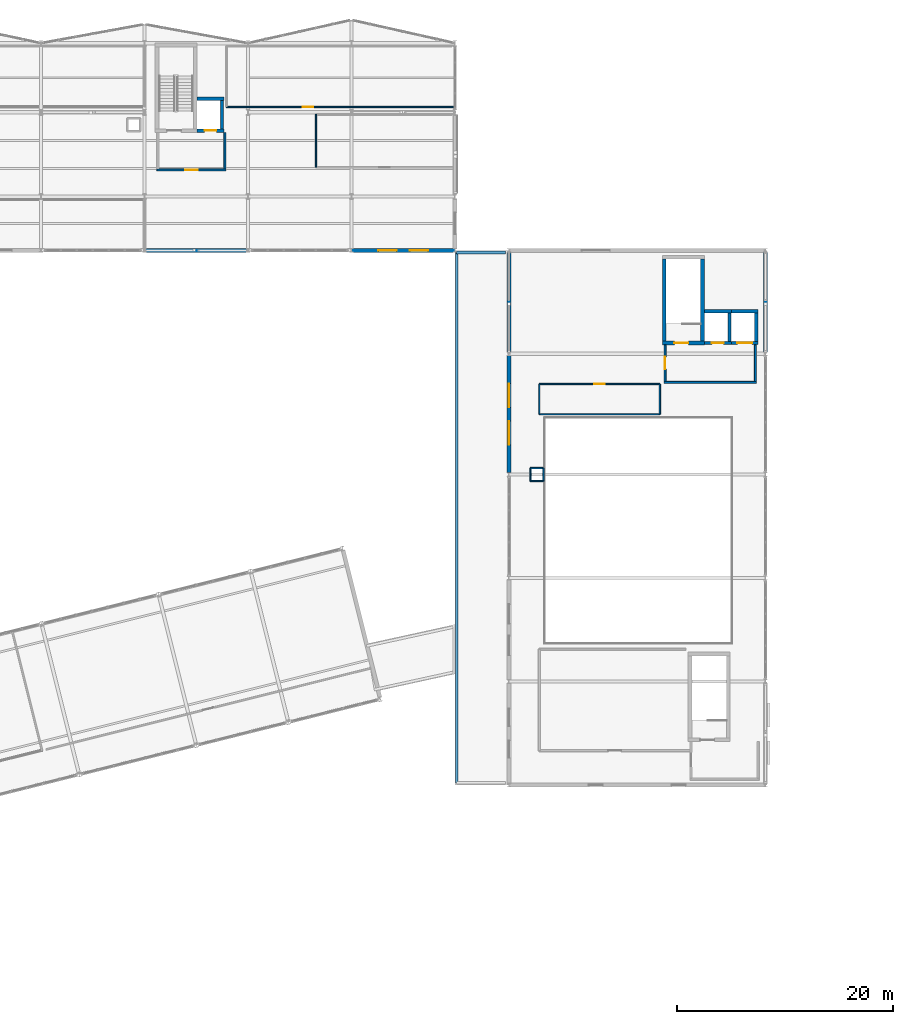
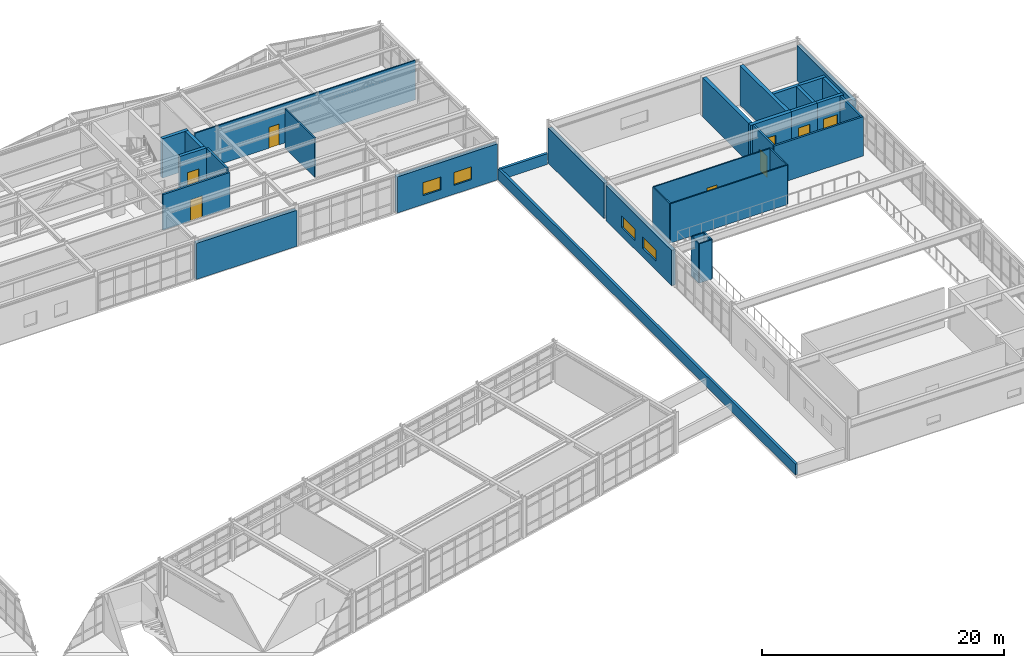
# One storey, part 66 of 76: 34 walls, 8 doors, 4 windows, 12 openings.
"""IFC4 building model written with IfcOpenShell, lengths in metres."""

from ifc_helpers import new_model, si_unit, direction, frame, frame_2d, origin, place, context, subcontext, project, spatial, rectangle, extrude, material, layer, layer_set, type_object, element, fill, save


model = new_model("IFC4")

# Units and contexts
model_context = context("Model", 3, precision=1e-05, world=origin(), true_north=direction((0.0, 1.0)))
body_context = subcontext(model_context, "Body", "Model", "MODEL_VIEW")
ifc_project = project(units=[si_unit("LENGTHUNIT", "METRE"), si_unit("AREAUNIT", "SQUARE_METRE"), si_unit("VOLUMEUNIT", "CUBIC_METRE"), si_unit("PLANEANGLEUNIT", "RADIAN"), si_unit("MASSUNIT", "GRAM", prefix="KILO")], contexts=[model_context])

# Site, building, storey
site_placement = place(None, origin())
site = spatial("IfcSite", under=ifc_project, at=site_placement, CompositionType="ELEMENT")
building_placement = place(site_placement, origin())
building = spatial("IfcBuilding", under=site, at=building_placement, Name="Nordkorset Police Headquarters", CompositionType="ELEMENT")
storey_placement = place(building_placement, frame((0.0, 0.0, 13.64990234375)))
storey = spatial("IfcBuildingStorey", under=building, at=storey_placement, Name="L03", CompositionType="ELEMENT", Elevation=13.64990234375)

# Wall, opening, door
ifc_material_1 = material(Name="Gypsum board", Category="gypsum")
ifc_layer_1 = layer(ifc_material_1, 0.179931640625, Name="Gypsum board")
ifc_layer_set_1 = layer_set([ifc_layer_1], Name="Gypsum board")
wall_type_1 = type_object("IfcWallType", Name="Wall_Comp_180", PredefinedType="PARTITIONING", material=ifc_layer_set_1)
wall_1_placement = place(storey_placement, frame((58.75, 105.06005859375, 0.0), z_axis=(0.0, 0.0, 1.0), x_axis=(1.0, 0.0, 0.0)))
wall_1 = element("IfcWall", 1, at=wall_1_placement, inside=storey, type_object=wall_type_1, Name="Firefighting Lobby EI 60 Wall K2 L03 S", PredefinedType="PARTITIONING", context=body_context, shape_type="SweptSolid", body=[
    extrude(rectangle(XDim=6.39990234375, YDim=0.179931640625, at=frame_2d((3.199951171875, 0.0))), origin(), (0.0, 0.0, 1.0), 3.60009765625),
])
opening_1_placement = place(wall_1_placement, frame((2.625, 0.0, 0.0)))
opening_1 = element("IfcOpeningElement", 2, at=opening_1_placement, cuts=wall_1, Name="Opening DR-01", PredefinedType="OPENING", context=body_context, shape_type="SweptSolid", body=[
    extrude(rectangle(XDim=1.14990234375, YDim=2.14990234375, at=frame_2d((0.574951171875, 1.074951171875))), frame((0.0, 0.10009765625, 0.0), z_axis=(0.0, -1.0, 0.0), x_axis=(1.0, 0.0, 0.0)), (0.0, 0.0, 1.0), 0.199951171875),
])
ifc_material_2 = material(Name="Steel S355J2", Category="steel")
door_type_1 = type_object("IfcDoorType", Name="Door_LobbySingle_1150x2150", OperationType="NOTDEFINED", PredefinedType="DOOR", material=ifc_material_2)
door_1_placement = place(opening_1_placement, frame((1.14990234375, 0.0, 0.0), z_axis=(0.0, 0.0, 1.0), x_axis=(-1.0, 0.0, 0.0)))
door_1 = element("IfcDoor", 3, at=door_1_placement, inside=storey, type_object=door_type_1, Name="Firefighting Lobby Smoke Door K2 L03 S", OperationType="SINGLE_SWING_LEFT", OverallHeight=2.14990234375, OverallWidth=1.14990234375, PredefinedType="DOOR", context=body_context, shape_type="SweptSolid", body=[
    extrude(rectangle(XDim=1.14990234375, YDim=2.14990234375, at=frame_2d((0.574951171875, 1.074951171875))), frame((0.0, 0.02490234375, 0.0), z_axis=(0.0, -1.0, 0.0), x_axis=(1.0, 0.0, 0.0)), (0.0, 0.0, 1.0), 0.050048828125),
])
fill(opening_1, door_1)

# Walls
wall_2_placement = place(storey_placement, frame((65.06005859375, 105.14990234375, 0.0), z_axis=(0.0, 0.0, 1.0), x_axis=(0.0, 1.0, 0.0)))
element("IfcWall", 4, at=wall_2_placement, inside=storey, type_object=wall_type_1, Name="Firefighting Lobby EI 60 Wall K2 L03 E", PredefinedType="PARTITIONING", context=body_context, shape_type="SweptSolid", body=[
    extrude(rectangle(XDim=3.375, YDim=0.179931640625, at=frame_2d((1.6875, 0.0))), origin(), (0.0, 0.0, 1.0), 3.97998046875),
])
wall_3_placement = place(storey_placement, frame((105.800048828125, 85.360107421875, 0.0), z_axis=(0.0, 0.0, 1.0), x_axis=(1.0, 0.0, 0.0)))
element("IfcWall", 5, at=wall_3_placement, inside=storey, type_object=wall_type_1, Name="Firefighting Lobby EI 60 Wall K5 L03 S", PredefinedType="PARTITIONING", context=body_context, shape_type="SweptSolid", body=[
    extrude(rectangle(XDim=8.550048828125, YDim=0.179931640625, at=frame_2d((4.27490234375, 0.0))), origin(), (0.0, 0.0, 1.0), 3.97998046875),
])

# Wall, opening, door
wall_4_placement = place(storey_placement, frame((105.889892578125, 85.449951171875, 0.0), z_axis=(0.0, 0.0, 1.0), x_axis=(0.0, 1.0, 0.0)))
wall_4 = element("IfcWall", 6, at=wall_4_placement, inside=storey, type_object=wall_type_1, Name="Firefighting Lobby EI 60 Wall K5 L03 W", PredefinedType="PARTITIONING", context=body_context, shape_type="SweptSolid", body=[
    extrude(rectangle(XDim=3.375, YDim=0.179931640625, at=frame_2d((1.6875, 0.0))), origin(), (0.0, 0.0, 1.0), 3.97998046875),
])
opening_2_placement = place(wall_4_placement, frame((1.112548828125, 0.0, 0.0)))
opening_2 = element("IfcOpeningElement", 7, at=opening_2_placement, cuts=wall_4, Name="Opening DR-01", PredefinedType="OPENING", context=body_context, shape_type="SweptSolid", body=[
    extrude(rectangle(XDim=1.14990234375, YDim=2.14990234375, at=frame_2d((0.574951171875, 1.074951171875))), frame((0.0, 0.10009765625, 0.0), z_axis=(0.0, -1.0, 0.0), x_axis=(1.0, 0.0, 0.0)), (0.0, 0.0, 1.0), 0.199951171875),
])
door_2_placement = place(opening_2_placement, origin())
door_2 = element("IfcDoor", 8, at=door_2_placement, inside=storey, type_object=door_type_1, Name="Firefighting Lobby Smoke Door K5 L03 W", OperationType="SINGLE_SWING_LEFT", OverallHeight=2.14990234375, OverallWidth=1.14990234375, PredefinedType="DOOR", context=body_context, shape_type="SweptSolid", body=[
    extrude(rectangle(XDim=1.14990234375, YDim=2.14990234375, at=frame_2d((0.574951171875, 1.074951171875))), frame((0.0, 0.02490234375, 0.0), z_axis=(0.0, -1.0, 0.0), x_axis=(1.0, 0.0, 0.0)), (0.0, 0.0, 1.0), 0.050048828125),
])
fill(opening_2, door_2)

# Wall
wall_5_placement = place(storey_placement, frame((114.260009765625, 85.449951171875, 0.0), z_axis=(0.0, 0.0, 1.0), x_axis=(0.0, 1.0, 0.0)))
element("IfcWall", 9, at=wall_5_placement, inside=storey, type_object=wall_type_1, Name="Firefighting Lobby EI 60 Wall K5 L03 E", PredefinedType="PARTITIONING", context=body_context, shape_type="SweptSolid", body=[
    extrude(rectangle(XDim=3.375, YDim=0.179931640625, at=frame_2d((1.6875, 0.0))), origin(), (0.0, 0.0, 1.0), 3.97998046875),
])

# Wall, opening, door
ifc_material_3 = material(Name="Concrete C35/45", Category="concrete")
ifc_layer_2 = layer(ifc_material_3, 0.35009765625, Name="Concrete C35/45")
ifc_layer_set_2 = layer_set([ifc_layer_2], Name="Concrete C35/45")
wall_type_2 = type_object("IfcWallType", Name="Wall_CoreShear_350", PredefinedType="SHEAR", material=ifc_layer_set_2)
wall_6_placement = place(storey_placement, frame((105.625, 89.0, 0.0), z_axis=(0.0, 0.0, 1.0), x_axis=(1.0, 0.0, 0.0)))
wall_6 = element("IfcWall", 10, at=wall_6_placement, inside=storey, type_object=wall_type_2, Name="Core K5 Stair Shaft South Shear Wall L03", PredefinedType="SHEAR", context=body_context, shape_type="SweptSolid", body=[
    extrude(rectangle(XDim=3.89990234375, YDim=0.35009765625, at=frame_2d((1.949951171875, 0.0))), origin(), (0.0, 0.0, 1.0), 3.97998046875),
])
opening_3_placement = place(wall_6_placement, frame((1.125, 0.0, 0.0)))
opening_3 = element("IfcOpeningElement", 11, at=opening_3_placement, cuts=wall_6, Name="Opening DR-20", PredefinedType="OPENING", context=body_context, shape_type="SweptSolid", body=[
    extrude(rectangle(XDim=1.300048828125, YDim=2.14990234375, at=frame_2d((0.64990234375, 1.074951171875))), frame((0.0, 0.18505859375, 0.0), z_axis=(0.0, -1.0, 0.0), x_axis=(1.0, 0.0, 0.0)), (0.0, 0.0, 1.0), 0.3701171875),
])
ifc_material_4 = material(Name="Steel S355J2", Category="steel")
door_type_2 = type_object("IfcDoorType", Name="Door_Stair_1300x2150", OperationType="NOTDEFINED", PredefinedType="DOOR", material=ifc_material_4)
door_3_placement = place(opening_3_placement, frame((1.300048828125, 0.0, 0.0), z_axis=(0.0, 0.0, 1.0), x_axis=(-1.0, 0.0, 0.0)))
door_3 = element("IfcDoor", 12, at=door_3_placement, inside=storey, type_object=door_type_2, Name="Protected Stair Fire Door ST-05 L03", OperationType="SINGLE_SWING_RIGHT", OverallHeight=2.14990234375, OverallWidth=1.300048828125, PredefinedType="DOOR", context=body_context, shape_type="SweptSolid", body=[
    extrude(rectangle(XDim=1.300048828125, YDim=2.14990234375, at=frame_2d((0.64990234375, 1.074951171875))), frame((0.0, 0.02490234375, 0.0), z_axis=(0.0, -1.0, 0.0), x_axis=(1.0, 0.0, 0.0)), (0.0, 0.0, 1.0), 0.050048828125),
])
fill(opening_3, door_3)

# Walls
for number, where, z_axis, x_axis, name in (
    (13, (105.800048828125, 89.175048828125, 0.0), (0.0, 0.0, 1.0), (0.0, 1.0, 0.0), "Core K5 Stair Shaft West Shear Wall L03"),
    (14, (109.35009765625, 89.175048828125, 0.0), (0.0, 0.0, 1.0), (0.0, 1.0, 0.0), "Core K5 Stair Shaft East Shear Wall L03"),
):
    element("IfcWall", number, at=place(storey_placement, frame(where, z_axis=z_axis, x_axis=x_axis)), inside=storey, type_object=wall_type_2, Name=name, PredefinedType="SHEAR", context=body_context, shape_type="SweptSolid", body=[
        extrude(rectangle(XDim=7.599853515625, YDim=0.35009765625, at=frame_2d((3.7998046875, 0.0))), origin(), (0.0, 0.0, 1.0), 3.97998046875),
    ])
ifc_material_5 = material(Name="Precast concrete C40/50", Category="concrete")
ifc_layer_3 = layer(ifc_material_5, 0.360107421875, Name="Precast concrete C40/50")
ifc_layer_set_3 = layer_set([ifc_layer_3], Name="Precast concrete C40/50")
wall_type_3 = type_object("IfcWallType", Name="Wall_ExtPrecast_360", PredefinedType="SOLIDWALL", material=ifc_layer_set_3)
wall_7_placement = place(storey_placement, frame((57.60791015625, 97.60009765625, 0.0), z_axis=(0.0, 0.0, 1.0), x_axis=(1.0, 0.0, 0.0)))
element("IfcWall", 15, at=wall_7_placement, inside=storey, type_object=wall_type_3, Name="Exterior Insulated Precast Wall L03 V2S-3", PredefinedType="SOLIDWALL", context=body_context, shape_type="SweptSolid", body=[
    extrude(rectangle(XDim=9.583984375, YDim=0.360107421875, at=frame_2d((4.7919921875, 0.0))), origin(), (0.0, 0.0, 1.0), 3.650146484375),
])

# Wall, openings, windows
wall_8_placement = place(storey_placement, frame((76.80810546875, 97.60009765625, 0.0), z_axis=(0.0, 0.0, 1.0), x_axis=(1.0, 0.0, 0.0)))
wall_8 = element("IfcWall", 16, at=wall_8_placement, inside=storey, type_object=wall_type_3, Name="Exterior Insulated Precast Wall L03 V2S-5", PredefinedType="SOLIDWALL", context=body_context, shape_type="SweptSolid", body=[
    extrude(rectangle(XDim=9.583984375, YDim=0.360107421875, at=frame_2d((4.7919921875, 0.0))), origin(), (0.0, 0.0, 1.0), 3.650146484375),
])
opening_4_placement = place(wall_8_placement, frame((2.475341796875, 0.0, 0.89990234375)))
opening_4 = element("IfcOpeningElement", 17, at=opening_4_placement, cuts=wall_8, Name="Opening WN-35", PredefinedType="OPENING", context=body_context, shape_type="SweptSolid", body=[
    extrude(rectangle(XDim=1.699951171875, YDim=1.300048828125, at=frame_2d((0.85009765625, 0.64990234375))), frame((0.0, 0.18994140625, 0.0), z_axis=(0.0, -1.0, 0.0), x_axis=(1.0, 0.0, 0.0)), (0.0, 0.0, 1.0), 0.380126953125),
])
opening_5_placement = place(wall_8_placement, frame((5.40869140625, 0.0, 0.89990234375)))
opening_5 = element("IfcOpeningElement", 18, at=opening_5_placement, cuts=wall_8, Name="Opening WN-35", PredefinedType="OPENING", context=body_context, shape_type="SweptSolid", body=[
    extrude(rectangle(XDim=1.699951171875, YDim=1.300048828125, at=frame_2d((0.85009765625, 0.64990234375))), frame((0.0, 0.18994140625, 0.0), z_axis=(0.0, -1.0, 0.0), x_axis=(1.0, 0.0, 0.0)), (0.0, 0.0, 1.0), 0.380126953125),
])
ifc_material_6 = material(Name="Low-iron triple glazing", Category="glass")
window_type_1 = type_object("IfcWindowType", Name="Win_1700x1300", PartitioningType="SINGLE_PANEL", PredefinedType="WINDOW", material=ifc_material_6)
window_1_placement = place(opening_4_placement, origin())
window_1 = element("IfcWindow", 19, at=window_1_placement, inside=storey, type_object=window_type_1, Name="Triple-Glazed Exterior Window L03 V2S-5-1", OverallHeight=1.300048828125, OverallWidth=1.699951171875, PartitioningType="SINGLE_PANEL", PredefinedType="WINDOW", context=body_context, shape_type="SweptSolid", body=[
    extrude(rectangle(XDim=1.699951171875, YDim=1.300048828125, at=frame_2d((0.85009765625, 0.64990234375))), frame((0.0, 0.030029296875, 0.0), z_axis=(0.0, -1.0, 0.0), x_axis=(1.0, 0.0, 0.0)), (0.0, 0.0, 1.0), 0.06005859375),
])
fill(opening_4, window_1)
window_2_placement = place(opening_5_placement, origin())
window_2 = element("IfcWindow", 20, at=window_2_placement, inside=storey, type_object=window_type_1, Name="Triple-Glazed Exterior Window L03 V2S-5-2", OverallHeight=1.300048828125, OverallWidth=1.699951171875, PartitioningType="SINGLE_PANEL", PredefinedType="WINDOW", context=body_context, shape_type="SweptSolid", body=[
    extrude(rectangle(XDim=1.699951171875, YDim=1.300048828125, at=frame_2d((0.85009765625, 0.64990234375))), frame((0.0, 0.030029296875, 0.0), z_axis=(0.0, -1.0, 0.0), x_axis=(1.0, 0.0, 0.0)), (0.0, 0.0, 1.0), 0.06005859375),
])
fill(opening_5, window_2)

wall_9_placement = place(storey_placement, frame((91.39990234375, 76.971923828125, 0.0), z_axis=(0.0, 0.0, 1.0), x_axis=(0.0, 1.0, 0.0)))
wall_9 = element("IfcWall", 21, at=wall_9_placement, inside=storey, type_object=wall_type_3, Name="Exterior Insulated Precast Wall L03 V5W-3", PredefinedType="SOLIDWALL", context=body_context, shape_type="SweptSolid", body=[
    extrude(rectangle(XDim=10.85595703125, YDim=0.360107421875, at=frame_2d((5.427978515625, 0.0))), origin(), (0.0, 0.0, 1.0), 3.565185546875),
])
opening_6_placement = place(wall_9_placement, frame((2.5947265625, 0.0, 0.89990234375)))
opening_6 = element("IfcOpeningElement", 22, at=opening_6_placement, cuts=wall_9, Name="Opening WN-07", PredefinedType="OPENING", context=body_context, shape_type="SweptSolid", body=[
    extrude(rectangle(XDim=2.199951171875, YDim=1.14990234375, at=frame_2d((1.10009765625, 0.574951171875))), frame((0.0, 0.18994140625, 0.0), z_axis=(0.0, -1.0, 0.0), x_axis=(1.0, 0.0, 0.0)), (0.0, 0.0, 1.0), 0.380126953125),
])
opening_7_placement = place(wall_9_placement, frame((6.061279296875, 0.0, 0.89990234375)))
opening_7 = element("IfcOpeningElement", 23, at=opening_7_placement, cuts=wall_9, Name="Opening WN-07", PredefinedType="OPENING", context=body_context, shape_type="SweptSolid", body=[
    extrude(rectangle(XDim=2.199951171875, YDim=1.14990234375, at=frame_2d((1.10009765625, 0.574951171875))), frame((0.0, 0.18994140625, 0.0), z_axis=(0.0, -1.0, 0.0), x_axis=(1.0, 0.0, 0.0)), (0.0, 0.0, 1.0), 0.380126953125),
])
ifc_material_7 = material(Name="Low-iron triple glazing", Category="glass")
window_type_2 = type_object("IfcWindowType", Name="Win_2200x1150", PartitioningType="SINGLE_PANEL", PredefinedType="WINDOW", material=ifc_material_7)
window_3_placement = place(opening_6_placement, origin())
window_3 = element("IfcWindow", 24, at=window_3_placement, inside=storey, type_object=window_type_2, Name="Triple-Glazed Exterior Window L03 V5W-3-1", OverallHeight=1.14990234375, OverallWidth=2.199951171875, PartitioningType="SINGLE_PANEL", PredefinedType="WINDOW", context=body_context, shape_type="SweptSolid", body=[
    extrude(rectangle(XDim=2.199951171875, YDim=1.14990234375, at=frame_2d((1.10009765625, 0.574951171875))), frame((0.0, 0.030029296875, 0.0), z_axis=(0.0, -1.0, 0.0), x_axis=(1.0, 0.0, 0.0)), (0.0, 0.0, 1.0), 0.06005859375),
])
fill(opening_6, window_3)
window_4_placement = place(opening_7_placement, origin())
window_4 = element("IfcWindow", 25, at=window_4_placement, inside=storey, type_object=window_type_2, Name="Triple-Glazed Exterior Window L03 V5W-3-2", OverallHeight=1.14990234375, OverallWidth=2.199951171875, PartitioningType="SINGLE_PANEL", PredefinedType="WINDOW", context=body_context, shape_type="SweptSolid", body=[
    extrude(rectangle(XDim=2.199951171875, YDim=1.14990234375, at=frame_2d((1.10009765625, 0.574951171875))), frame((0.0, 0.030029296875, 0.0), z_axis=(0.0, -1.0, 0.0), x_axis=(1.0, 0.0, 0.0)), (0.0, 0.0, 1.0), 0.06005859375),
])
fill(opening_7, window_4)

# Walls
for number, where, z_axis, x_axis, name in (
    (26, (115.199951171875, 88.172119140625, 0.0), (0.0, 0.0, 1.0), (0.0, 1.0, 0.0), "Exterior Insulated Precast Wall L03 V5E-4"),
    (27, (91.39990234375, 88.172119140625, 0.0), (0.0, 0.0, 1.0), (0.0, 1.0, 0.0), "Exterior Insulated Precast Wall L03 V5W-4"),
):
    element("IfcWall", number, at=place(storey_placement, frame(where, z_axis=z_axis, x_axis=x_axis)), inside=storey, type_object=wall_type_3, Name=name, PredefinedType="SOLIDWALL", context=body_context, shape_type="SweptSolid", body=[
        extrude(rectangle(XDim=9.255859375, YDim=0.360107421875, at=frame_2d((4.6279296875, 0.0))), origin(), (0.0, 0.0, 1.0), 3.565185546875),
    ])
ifc_material_8 = material(Name="Precast concrete C40/50", Category="concrete")
ifc_layer_4 = layer(ifc_material_8, 0.239990234375, Name="Precast concrete C40/50")
ifc_layer_set_4 = layer_set([ifc_layer_4], Name="Precast concrete C40/50")
wall_type_4 = type_object("IfcWallType", Name="Wall_Parapet_240", PredefinedType="PARAPET", material=ifc_layer_set_4)
wall_10_placement = place(storey_placement, frame((91.10009765625, 97.39990234375, 0.0), z_axis=(0.0, 0.0, 1.0), x_axis=(-1.0, 0.0, 0.0)))
element("IfcWall", 28, at=wall_10_placement, inside=storey, type_object=wall_type_4, Name="Flat Roof Parapet Wall V5SET-L03-3", PredefinedType="PARAPET", context=body_context, shape_type="SweptSolid", body=[
    extrude(rectangle(XDim=4.550048828125, YDim=0.239990234375, at=frame_2d((2.27490234375, 0.0))), origin(), (0.0, 0.0, 1.0), 1.10009765625),
])
wall_11_placement = place(storey_placement, frame((86.550048828125, 97.39990234375, 0.0), z_axis=(0.0, 0.0, 1.0), x_axis=(0.0, -1.0, 0.0)))
element("IfcWall", 29, at=wall_11_placement, inside=storey, type_object=wall_type_4, Name="Flat Roof Parapet Wall V5SET-L03-4", PredefinedType="PARAPET", context=body_context, shape_type="SweptSolid", body=[
    extrude(rectangle(XDim=49.199951171875, YDim=0.239990234375, at=frame_2d((24.60009765625, 0.0))), origin(), (0.0, 0.0, 1.0), 1.10009765625),
])

# Wall, opening, door
ifc_material_9 = material(Name="Gypsum board", Category="gypsum")
ifc_layer_5 = layer(ifc_material_9, 0.1201171875, Name="Gypsum board")
ifc_layer_set_5 = layer_set([ifc_layer_5], Name="Gypsum board")
wall_type_5 = type_object("IfcWallType", Name="Wall_Part_120", PredefinedType="PARTITIONING", material=ifc_layer_set_5)
wall_12_placement = place(storey_placement, frame((65.199951171875, 110.89990234375, 0.0), z_axis=(0.0, 0.0, 1.0), x_axis=(1.0, 0.0, 0.0)))
wall_12 = element("IfcWall", 30, at=wall_12_placement, inside=storey, type_object=wall_type_5, Name="Interior Partition Wall Forensic Accounting Workroom", PredefinedType="PARTITIONING", context=body_context, shape_type="SweptSolid", body=[
    extrude(rectangle(XDim=21.114990234375, YDim=0.1201171875, at=frame_2d((10.5576171875, 0.0))), origin(), (0.0, 0.0, 1.0), 3.97998046875),
])
opening_8_placement = place(wall_12_placement, frame((7.0673828125, 0.0, 0.0)))
opening_8 = element("IfcOpeningElement", 31, at=opening_8_placement, cuts=wall_12, Name="Opening DR-18", PredefinedType="OPENING", context=body_context, shape_type="SweptSolid", body=[
    extrude(rectangle(XDim=0.97998046875, YDim=2.10009765625, at=frame_2d((0.489990234375, 1.050048828125))), frame((0.0, 0.070068359375, 0.0), z_axis=(0.0, -1.0, 0.0), x_axis=(1.0, 0.0, 0.0)), (0.0, 0.0, 1.0), 0.14013671875),
])
ifc_material_10 = material(Name="Glulam GL30c", Category="wood")
door_type_3 = type_object("IfcDoorType", Name="Door_Office_980x2100", OperationType="NOTDEFINED", PredefinedType="DOOR", material=ifc_material_10)
door_4_placement = place(opening_8_placement, frame((0.97998046875, 0.0, 0.0), z_axis=(0.0, 0.0, 1.0), x_axis=(-1.0, 0.0, 0.0)))
door_4 = element("IfcDoor", 32, at=door_4_placement, inside=storey, type_object=door_type_3, Name="Interior Door Forensic Accounting Workroom", OperationType="SINGLE_SWING_LEFT", OverallHeight=2.10009765625, OverallWidth=0.97998046875, PredefinedType="DOOR", context=body_context, shape_type="SweptSolid", body=[
    extrude(rectangle(XDim=0.97998046875, YDim=2.10009765625, at=frame_2d((0.489990234375, 1.050048828125))), frame((0.0, 0.02490234375, 0.0), z_axis=(0.0, -1.0, 0.0), x_axis=(1.0, 0.0, 0.0)), (0.0, 0.0, 1.0), 0.050048828125),
])
fill(opening_8, door_4)

# Walls
wall_13_placement = place(storey_placement, frame((73.5, 110.199951171875, 0.0), z_axis=(0.0, 0.0, 1.0), x_axis=(0.0, -1.0, 0.0)))
element("IfcWall", 33, at=wall_13_placement, inside=storey, type_object=wall_type_5, Name="Interior Partition Wall Investigator Briefing Room", PredefinedType="PARTITIONING", context=body_context, shape_type="SweptSolid", body=[
    extrude(rectangle(XDim=4.89990234375, YDim=0.1201171875, at=frame_2d((2.449951171875, 0.0))), origin(), (0.0, 0.0, 1.0), 3.97998046875),
])
wall_14_placement = place(storey_placement, frame((94.219970703125, 82.39990234375, 0.0), z_axis=(0.0, 0.0, 1.0), x_axis=(1.0, 0.0, 0.0)))
element("IfcWall", 34, at=wall_14_placement, inside=storey, type_object=wall_type_5, Name="Interior Partition Wall Occupational Physiotherapy Clinic", PredefinedType="PARTITIONING", context=body_context, shape_type="SweptSolid", body=[
    extrude(rectangle(XDim=11.179931640625, YDim=0.1201171875, at=frame_2d((5.58984375, 0.0))), origin(), (0.0, 0.0, 1.0), 3.97998046875),
])
wall_15_placement = place(storey_placement, frame((105.39990234375, 82.39990234375, 0.0), z_axis=(0.0, 0.0, 1.0), x_axis=(0.0, 1.0, 0.0)))
element("IfcWall", 35, at=wall_15_placement, inside=storey, type_object=wall_type_5, Name="Interior Partition Wall Occupational Physiotherapy Clinic", PredefinedType="PARTITIONING", context=body_context, shape_type="SweptSolid", body=[
    extrude(rectangle(XDim=2.800048828125, YDim=0.1201171875, at=frame_2d((1.39990234375, 0.0))), origin(), (0.0, 0.0, 1.0), 3.97998046875),
])

# Wall, opening, door
wall_16_placement = place(storey_placement, frame((105.39990234375, 85.199951171875, 0.0), z_axis=(0.0, 0.0, 1.0), x_axis=(-1.0, 0.0, 0.0)))
wall_16 = element("IfcWall", 36, at=wall_16_placement, inside=storey, type_object=wall_type_5, Name="Interior Partition Wall Occupational Physiotherapy Clinic", PredefinedType="PARTITIONING", context=body_context, shape_type="SweptSolid", body=[
    extrude(rectangle(XDim=11.179931640625, YDim=0.1201171875, at=frame_2d((5.58984375, 0.0))), origin(), (0.0, 0.0, 1.0), 3.97998046875),
])
opening_9_placement = place(wall_16_placement, frame((5.110107421875, 0.0, 0.0)))
opening_9 = element("IfcOpeningElement", 37, at=opening_9_placement, cuts=wall_16, Name="Opening DR-08", PredefinedType="OPENING", context=body_context, shape_type="SweptSolid", body=[
    extrude(rectangle(XDim=0.9599609375, YDim=2.080078125, at=frame_2d((0.47998046875, 1.0400390625))), frame((0.0, 0.070068359375, 0.0), z_axis=(0.0, -1.0, 0.0), x_axis=(1.0, 0.0, 0.0)), (0.0, 0.0, 1.0), 0.14013671875),
])
ifc_material_11 = material(Name="Glulam GL30c", Category="wood")
door_type_4 = type_object("IfcDoorType", Name="Door_Welfare_960x2080", OperationType="NOTDEFINED", PredefinedType="DOOR", material=ifc_material_11)
door_5_placement = place(opening_9_placement, frame((0.9599609375, 0.0, 0.0), z_axis=(0.0, 0.0, 1.0), x_axis=(-1.0, 0.0, 0.0)))
door_5 = element("IfcDoor", 38, at=door_5_placement, inside=storey, type_object=door_type_4, Name="Interior Door Occupational Physiotherapy Clinic", OperationType="SINGLE_SWING_RIGHT", OverallHeight=2.080078125, OverallWidth=0.9599609375, PredefinedType="DOOR", context=body_context, shape_type="SweptSolid", body=[
    extrude(rectangle(XDim=0.9599609375, YDim=2.080078125, at=frame_2d((0.47998046875, 1.0400390625))), frame((0.0, 0.02490234375, 0.0), z_axis=(0.0, -1.0, 0.0), x_axis=(1.0, 0.0, 0.0)), (0.0, 0.0, 1.0), 0.050048828125),
])
fill(opening_9, door_5)

# Walls
wall_17_placement = place(storey_placement, frame((94.219970703125, 85.199951171875, 0.0), z_axis=(0.0, 0.0, 1.0), x_axis=(0.0, -1.0, 0.0)))
element("IfcWall", 39, at=wall_17_placement, inside=storey, type_object=wall_type_5, Name="Interior Partition Wall Occupational Physiotherapy Clinic", PredefinedType="PARTITIONING", context=body_context, shape_type="SweptSolid", body=[
    extrude(rectangle(XDim=2.800048828125, YDim=0.1201171875, at=frame_2d((1.39990234375, 0.0))), origin(), (0.0, 0.0, 1.0), 3.97998046875),
])
ifc_material_12 = material(Name="Gypsum board", Category="gypsum")
ifc_layer_6 = layer(ifc_material_12, 0.125, Name="Gypsum board")
ifc_layer_set_6 = layer_set([ifc_layer_6], Name="Gypsum board")
wall_type_6 = type_object("IfcWallType", Name="Wall_Riser_125", PredefinedType="PARTITIONING", material=ifc_layer_set_6)
wall_18_placement = place(storey_placement, frame((93.39990234375, 76.199951171875, 0.0), z_axis=(0.0, 0.0, 1.0), x_axis=(1.0, 0.0, 0.0)))
element("IfcWall", 40, at=wall_18_placement, inside=storey, type_object=wall_type_6, Name="Service Riser Enclosure RSR-V5 L03", PredefinedType="PARTITIONING", context=body_context, shape_type="SweptSolid", body=[
    extrude(rectangle(XDim=1.2001953125, YDim=0.125, at=frame_2d((0.60009765625, 0.0))), origin(), (0.0, 0.0, 1.0), 3.97998046875),
])
wall_19_placement = place(storey_placement, frame((94.60009765625, 76.199951171875, 0.0), z_axis=(0.0, 0.0, 1.0), x_axis=(0.0, 1.0, 0.0)))
element("IfcWall", 41, at=wall_19_placement, inside=storey, type_object=wall_type_6, Name="Service Riser Enclosure RSR-V5 L03", PredefinedType="PARTITIONING", context=body_context, shape_type="SweptSolid", body=[
    extrude(rectangle(XDim=1.199951171875, YDim=0.125, at=frame_2d((0.60009765625, 0.0))), origin(), (0.0, 0.0, 1.0), 3.97998046875),
])
wall_20_placement = place(storey_placement, frame((94.60009765625, 77.39990234375, 0.0), z_axis=(0.0, 0.0, 1.0), x_axis=(-1.0, 0.0, 0.0)))
element("IfcWall", 42, at=wall_20_placement, inside=storey, type_object=wall_type_6, Name="Service Riser Enclosure RSR-V5 L03", PredefinedType="PARTITIONING", context=body_context, shape_type="SweptSolid", body=[
    extrude(rectangle(XDim=1.2001953125, YDim=0.125, at=frame_2d((0.60009765625, 0.0))), origin(), (0.0, 0.0, 1.0), 3.97998046875),
])
wall_21_placement = place(storey_placement, frame((93.39990234375, 77.39990234375, 0.0), z_axis=(0.0, 0.0, 1.0), x_axis=(0.0, -1.0, 0.0)))
element("IfcWall", 43, at=wall_21_placement, inside=storey, type_object=wall_type_6, Name="Service Riser Enclosure RSR-V5 L03", PredefinedType="PARTITIONING", context=body_context, shape_type="SweptSolid", body=[
    extrude(rectangle(XDim=1.199951171875, YDim=0.125, at=frame_2d((0.60009765625, 0.0))), origin(), (0.0, 0.0, 1.0), 3.97998046875),
])

# Wall, opening, door
ifc_material_13 = material(Name="Concrete C35/45", Category="concrete")
ifc_layer_7 = layer(ifc_material_13, 0.300048828125, Name="Concrete C35/45")
ifc_layer_set_7 = layer_set([ifc_layer_7], Name="Concrete C35/45")
wall_type_7 = type_object("IfcWallType", Name="Wall_ShaftShear_300", PredefinedType="SHEAR", material=ifc_layer_set_7)
wall_22_placement = place(storey_placement, frame((62.47509765625, 108.699951171875, 0.0), z_axis=(0.0, 0.0, 1.0), x_axis=(1.0, 0.0, 0.0)))
wall_22 = element("IfcWall", 44, at=wall_22_placement, inside=storey, type_object=wall_type_7, Name="Lift Shaft LF-04 Front Shear Wall L03", PredefinedType="SHEAR", context=body_context, shape_type="SweptSolid", body=[
    extrude(rectangle(XDim=2.5, YDim=0.300048828125, at=frame_2d((1.25, 0.0))), origin(), (0.0, 0.0, 1.0), 3.97998046875),
])
opening_10_placement = place(wall_22_placement, frame((0.699951171875, 0.0, 0.0)))
opening_10 = element("IfcOpeningElement", 45, at=opening_10_placement, cuts=wall_22, Name="Opening LD-04", PredefinedType="OPENING", context=body_context, shape_type="SweptSolid", body=[
    extrude(rectangle(XDim=1.10009765625, YDim=2.10009765625, at=frame_2d((0.550048828125, 1.050048828125))), frame((0.0, 0.16015625, 0.0), z_axis=(0.0, -1.0, 0.0), x_axis=(1.0, 0.0, 0.0)), (0.0, 0.0, 1.0), 0.320068359375),
])
ifc_material_14 = material(Name="Steel S355J2", Category="steel")
door_type_5 = type_object("IfcDoorType", Name="Door_LiftLanding_1100x2100", OperationType="SLIDING_TO_LEFT", PredefinedType="DOOR", material=ifc_material_14)
door_6_placement = place(opening_10_placement, frame((1.10009765625, 0.0, 0.0), z_axis=(0.0, 0.0, 1.0), x_axis=(-1.0, 0.0, 0.0)))
door_6 = element("IfcDoor", 46, at=door_6_placement, inside=storey, type_object=door_type_5, Name="Lift Landing Sliding Door LF-04 L03", OperationType="SLIDING_TO_LEFT", OverallHeight=2.10009765625, OverallWidth=1.10009765625, PredefinedType="DOOR", context=body_context, shape_type="SweptSolid", body=[
    extrude(rectangle(XDim=1.10009765625, YDim=2.10009765625, at=frame_2d((0.550048828125, 1.050048828125))), frame((0.0, 0.02490234375, 0.0), z_axis=(0.0, -1.0, 0.0), x_axis=(1.0, 0.0, 0.0)), (0.0, 0.0, 1.0), 0.050048828125),
])
fill(opening_10, door_6)

# Walls
wall_23_placement = place(storey_placement, frame((62.47509765625, 111.64990234375, 0.0), z_axis=(0.0, 0.0, 1.0), x_axis=(1.0, 0.0, 0.0)))
element("IfcWall", 47, at=wall_23_placement, inside=storey, type_object=wall_type_7, Name="Lift Shaft LF-04 Rear Shear Wall L03", PredefinedType="SHEAR", context=body_context, shape_type="SweptSolid", body=[
    extrude(rectangle(XDim=2.5, YDim=0.300048828125, at=frame_2d((1.25, 0.0))), origin(), (0.0, 0.0, 1.0), 3.97998046875),
])
wall_24_placement = place(storey_placement, frame((64.800048828125, 108.85009765625, 0.0), z_axis=(0.0, 0.0, 1.0), x_axis=(0.0, 1.0, 0.0)))
element("IfcWall", 48, at=wall_24_placement, inside=storey, type_object=wall_type_7, Name="Lift Shaft LF-04 East Shear Wall L03", PredefinedType="SHEAR", context=body_context, shape_type="SweptSolid", body=[
    extrude(rectangle(XDim=2.64990234375, YDim=0.300048828125, at=frame_2d((1.324951171875, 0.0))), origin(), (0.0, 0.0, 1.0), 3.97998046875),
])

# Wall, opening, door
wall_25_placement = place(storey_placement, frame((109.52490234375, 89.0, 0.0), z_axis=(0.0, 0.0, 1.0), x_axis=(1.0, 0.0, 0.0)))
wall_25 = element("IfcWall", 49, at=wall_25_placement, inside=storey, type_object=wall_type_7, Name="Lift Shaft LF-05 Front Shear Wall L03", PredefinedType="SHEAR", context=body_context, shape_type="SweptSolid", body=[
    extrude(rectangle(XDim=2.5, YDim=0.300048828125, at=frame_2d((1.25, 0.0))), origin(), (0.0, 0.0, 1.0), 3.97998046875),
])
opening_11_placement = place(wall_25_placement, frame((0.699951171875, 0.0, 0.0)))
opening_11 = element("IfcOpeningElement", 50, at=opening_11_placement, cuts=wall_25, Name="Opening LD-05", PredefinedType="OPENING", context=body_context, shape_type="SweptSolid", body=[
    extrude(rectangle(XDim=1.10009765625, YDim=2.10009765625, at=frame_2d((0.550048828125, 1.050048828125))), frame((0.0, 0.16015625, 0.0), z_axis=(0.0, -1.0, 0.0), x_axis=(1.0, 0.0, 0.0)), (0.0, 0.0, 1.0), 0.320068359375),
])
door_7_placement = place(opening_11_placement, frame((1.10009765625, 0.0, 0.0), z_axis=(0.0, 0.0, 1.0), x_axis=(-1.0, 0.0, 0.0)))
door_7 = element("IfcDoor", 51, at=door_7_placement, inside=storey, type_object=door_type_5, Name="Lift Landing Sliding Door LF-05 L03", OperationType="SLIDING_TO_LEFT", OverallHeight=2.10009765625, OverallWidth=1.10009765625, PredefinedType="DOOR", context=body_context, shape_type="SweptSolid", body=[
    extrude(rectangle(XDim=1.10009765625, YDim=2.10009765625, at=frame_2d((0.550048828125, 1.050048828125))), frame((0.0, 0.02490234375, 0.0), z_axis=(0.0, -1.0, 0.0), x_axis=(1.0, 0.0, 0.0)), (0.0, 0.0, 1.0), 0.050048828125),
])
fill(opening_11, door_7)

# Walls
wall_26_placement = place(storey_placement, frame((109.52490234375, 91.949951171875, 0.0), z_axis=(0.0, 0.0, 1.0), x_axis=(1.0, 0.0, 0.0)))
element("IfcWall", 52, at=wall_26_placement, inside=storey, type_object=wall_type_7, Name="Lift Shaft LF-05 Rear Shear Wall L03", PredefinedType="SHEAR", context=body_context, shape_type="SweptSolid", body=[
    extrude(rectangle(XDim=2.5, YDim=0.300048828125, at=frame_2d((1.25, 0.0))), origin(), (0.0, 0.0, 1.0), 3.97998046875),
])
wall_27_placement = place(storey_placement, frame((111.85009765625, 89.14990234375, 0.0), z_axis=(0.0, 0.0, 1.0), x_axis=(0.0, 1.0, 0.0)))
element("IfcWall", 53, at=wall_27_placement, inside=storey, type_object=wall_type_7, Name="Lift Shaft LF-05 East Shear Wall L03", PredefinedType="SHEAR", context=body_context, shape_type="SweptSolid", body=[
    extrude(rectangle(XDim=2.650146484375, YDim=0.300048828125, at=frame_2d((1.3251953125, 0.0))), origin(), (0.0, 0.0, 1.0), 3.97998046875),
])

# Wall, opening, door
wall_28_placement = place(storey_placement, frame((112.02490234375, 89.0, 0.0), z_axis=(0.0, 0.0, 1.0), x_axis=(1.0, 0.0, 0.0)))
wall_28 = element("IfcWall", 54, at=wall_28_placement, inside=storey, type_object=wall_type_7, Name="Lift Shaft LF-07 Front Shear Wall L03", PredefinedType="SHEAR", context=body_context, shape_type="SweptSolid", body=[
    extrude(rectangle(XDim=2.5, YDim=0.300048828125, at=frame_2d((1.25, 0.0))), origin(), (0.0, 0.0, 1.0), 3.97998046875),
])
opening_12_placement = place(wall_28_placement, frame((0.574951171875, 0.0, 0.0)))
opening_12 = element("IfcOpeningElement", 55, at=opening_12_placement, cuts=wall_28, Name="Opening LD-07", PredefinedType="OPENING", context=body_context, shape_type="SweptSolid", body=[
    extrude(rectangle(XDim=1.35009765625, YDim=2.14990234375, at=frame_2d((0.675048828125, 1.074951171875))), frame((0.0, 0.16015625, 0.0), z_axis=(0.0, -1.0, 0.0), x_axis=(1.0, 0.0, 0.0)), (0.0, 0.0, 1.0), 0.320068359375),
])
ifc_material_15 = material(Name="Steel S355J2", Category="steel")
door_type_6 = type_object("IfcDoorType", Name="Door_LiftGoods_1350x2150", OperationType="SLIDING_TO_RIGHT", PredefinedType="DOOR", material=ifc_material_15)
door_8_placement = place(opening_12_placement, frame((1.35009765625, 0.0, 0.0), z_axis=(0.0, 0.0, 1.0), x_axis=(-1.0, 0.0, 0.0)))
door_8 = element("IfcDoor", 56, at=door_8_placement, inside=storey, type_object=door_type_6, Name="Lift Landing Sliding Door LF-07 L03", OperationType="SLIDING_TO_RIGHT", OverallHeight=2.14990234375, OverallWidth=1.35009765625, PredefinedType="DOOR", context=body_context, shape_type="SweptSolid", body=[
    extrude(rectangle(XDim=1.35009765625, YDim=2.14990234375, at=frame_2d((0.675048828125, 1.074951171875))), frame((0.0, 0.02490234375, 0.0), z_axis=(0.0, -1.0, 0.0), x_axis=(1.0, 0.0, 0.0)), (0.0, 0.0, 1.0), 0.050048828125),
])
fill(opening_12, door_8)

# Walls
wall_29_placement = place(storey_placement, frame((112.02490234375, 91.949951171875, 0.0), z_axis=(0.0, 0.0, 1.0), x_axis=(1.0, 0.0, 0.0)))
element("IfcWall", 57, at=wall_29_placement, inside=storey, type_object=wall_type_7, Name="Lift Shaft LF-07 Rear Shear Wall L03", PredefinedType="SHEAR", context=body_context, shape_type="SweptSolid", body=[
    extrude(rectangle(XDim=2.5, YDim=0.300048828125, at=frame_2d((1.25, 0.0))), origin(), (0.0, 0.0, 1.0), 3.97998046875),
])
wall_30_placement = place(storey_placement, frame((114.35009765625, 89.14990234375, 0.0), z_axis=(0.0, 0.0, 1.0), x_axis=(0.0, 1.0, 0.0)))
element("IfcWall", 58, at=wall_30_placement, inside=storey, type_object=wall_type_7, Name="Lift Shaft LF-07 East Shear Wall L03", PredefinedType="SHEAR", context=body_context, shape_type="SweptSolid", body=[
    extrude(rectangle(XDim=2.650146484375, YDim=0.300048828125, at=frame_2d((1.3251953125, 0.0))), origin(), (0.0, 0.0, 1.0), 3.97998046875),
])

save(model, "model.ifc")
